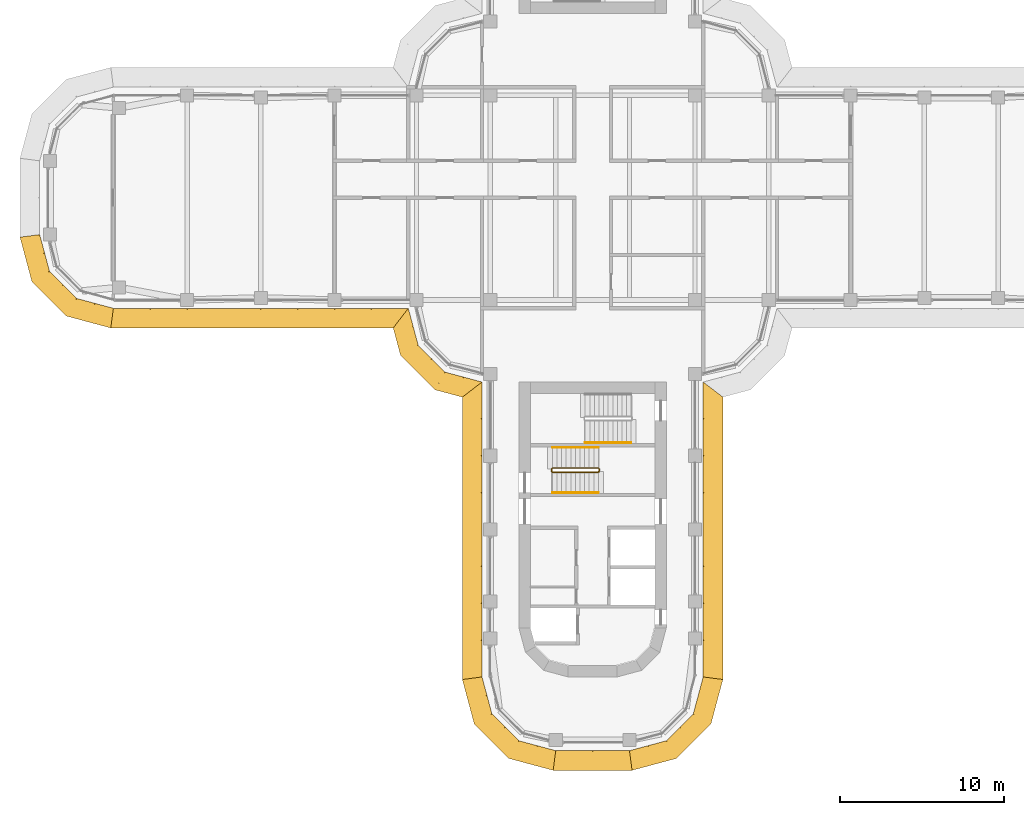
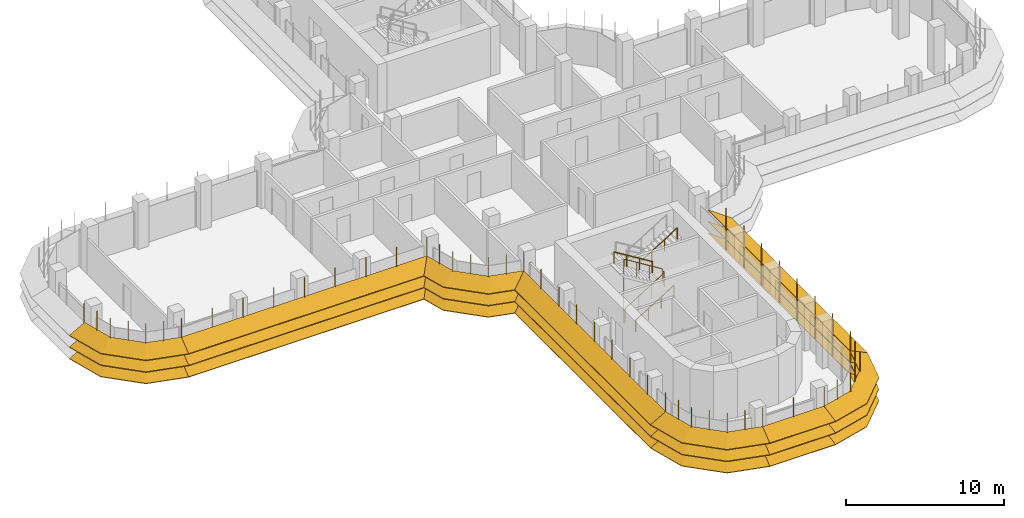
# One storey, part 17 of 20: 8 shading devices, 4 railings.
"""IFC4 building model written with IfcOpenShell, lengths in metres."""

from ifc_helpers import new_model, si_unit, direction, frame, origin, origin_2d, place, context, subcontext, project, spatial, polyline, circle, outline, extrude, faceted_brep, source, transform, mapped, material, type_object, element, save


model = new_model("IFC4")

# Units and contexts
model_context = context("Model", 3, precision=1e-05, world=origin(), true_north=direction((0.0, 1.0)))
body_context = subcontext(model_context, "Body", "Model", "MODEL_VIEW")
ifc_project = project(units=[si_unit("LENGTHUNIT", "METRE"), si_unit("AREAUNIT", "SQUARE_METRE"), si_unit("VOLUMEUNIT", "CUBIC_METRE"), si_unit("PLANEANGLEUNIT", "RADIAN"), si_unit("MASSUNIT", "GRAM", prefix="KILO")], contexts=[model_context])

# Site, building, storey
site_placement = place(None, origin())
site = spatial("IfcSite", under=ifc_project, at=site_placement, CompositionType="ELEMENT")
building_placement = place(site_placement, origin())
building = spatial("IfcBuilding", under=site, at=building_placement, Name="Zarbagh Exchange Tower", CompositionType="ELEMENT")
storey_placement = place(building_placement, frame((0.0, 0.0, 152.39990234375)))
storey = spatial("IfcBuildingStorey", under=building, at=storey_placement, Name="L36", CompositionType="ELEMENT", Elevation=152.39990234375)

# Railings
ifc_material_1 = material(Name="Stainless steel", Category="steel")
railing_type_1 = type_object("IfcRailingType", Name="Stair guard 1100 mm", PredefinedType="GUARDRAIL", material=ifc_material_1)
railing_1_placement = place(storey_placement, frame((0.35009765625, -16.5, 2.07275390625)))
element("IfcRailing", 1, at=railing_1_placement, inside=storey, type_object=railing_type_1, Name="ST3 stair guard 1", PredefinedType="GUARDRAIL", context=body_context, shape_type="SweptSolid", body=[
    extrude(circle(Radius=0.02392578125, at=origin_2d()), frame((0.0, 0.0, 1.076171875), z_axis=(-0.851089632645, 0.0, 0.525020415988), x_axis=(0.0, -1.0, 0.0)), (0.0, 0.0, 1.0), 3.2900390625),
    extrude(circle(Radius=0.02392578125, at=origin_2d()), frame((-2.800048828125, 0.0, 2.80322265625), z_axis=(-0.013168290981, -0.013168290981, -0.999826581076), x_axis=(0.707106781187, -0.707106781187, 0.0)), (0.0, 0.0, 1.0), 3.80078125),
    extrude(circle(Radius=0.02392578125, at=origin_2d()), frame((-2.85009765625, -0.050048828125, -0.99658203125), z_axis=(0.0, -1.0, 0.0), x_axis=(1.0, 0.0, 0.0)), (0.0, 0.0, 1.0), 0.14990234375),
    extrude(circle(Radius=0.02392578125, at=origin_2d()), frame((-2.85009765625, -0.199951171875, -0.99658203125), z_axis=(0.267953482034, -0.267953482034, 0.925419830635), x_axis=(0.707106781187, 0.707106781187, 0.0)), (0.0, 0.0, 1.0), 0.186767578125),
    extrude(circle(Radius=0.02392578125, at=origin_2d()), frame((-2.800048828125, -0.25, -0.82373046875), z_axis=(0.851089632645, 0.0, 0.525020415988), x_axis=(0.0, 1.0, 0.0)), (0.0, 0.0, 1.0), 3.2900390625),
    extrude(circle(Radius=0.02392578125, at=origin_2d()), frame((0.0, -0.25, 0.9033203125), z_axis=(0.705375805398, 0.708833529934, 0.0), x_axis=(-0.708833529934, 0.705375805398, 0.0)), (0.0, 0.0, 1.0), 0.070556640625),
    extrude(circle(Radius=0.02392578125, at=origin_2d()), frame((0.0498046875, -0.199951171875, 0.9033203125), z_axis=(0.0, 1.0, 0.0), x_axis=(-1.0, 0.0, 0.0)), (0.0, 0.0, 1.0), 0.14990234375),
    extrude(circle(Radius=0.02099609375, at=origin_2d()), origin(), (0.0, 0.0, 1.0), 1.052001953125),
    extrude(circle(Radius=0.02099609375, at=origin_2d()), frame((-0.933349609375, 0.0, 0.57568359375)), (0.0, 0.0, 1.0), 1.052001953125),
    extrude(circle(Radius=0.02099609375, at=origin_2d()), frame((-1.86669921875, 0.0, 1.151611328125)), (0.0, 0.0, 1.0), 1.052001953125),
    extrude(circle(Radius=0.02099609375, at=origin_2d()), frame((-2.800048828125, 0.0, 1.727294921875)), (0.0, 0.0, 1.0), 1.052001953125),
    extrude(circle(Radius=0.02099609375, at=origin_2d()), frame((-2.8125, -0.012451171875, 0.77734375)), (0.0, 0.0, 1.0), 1.052001953125),
    extrude(circle(Radius=0.02099609375, at=origin_2d()), frame((-2.8251953125, -0.02490234375, -0.1728515625)), (0.0, 0.0, 1.0), 1.052001953125),
    extrude(circle(Radius=0.02099609375, at=origin_2d()), frame((-2.837646484375, -0.03759765625, -1.122802734375)), (0.0, 0.0, 1.0), 1.052001953125),
    extrude(circle(Radius=0.02099609375, at=origin_2d()), frame((-2.85009765625, -0.050048828125, -2.07275390625)), (0.0, 0.0, 1.0), 1.052001953125),
    extrude(circle(Radius=0.02099609375, at=origin_2d()), frame((-2.85009765625, -0.199951171875, -2.07275390625)), (0.0, 0.0, 1.0), 1.052001953125),
    extrude(circle(Radius=0.02099609375, at=origin_2d()), frame((-2.800048828125, -0.25, -1.89990234375)), (0.0, 0.0, 1.0), 1.052001953125),
    extrude(circle(Radius=0.02099609375, at=origin_2d()), frame((-1.86669921875, -0.25, -1.32421875)), (0.0, 0.0, 1.0), 1.052001953125),
    extrude(circle(Radius=0.02099609375, at=origin_2d()), frame((-0.933349609375, -0.25, -0.748291015625)), (0.0, 0.0, 1.0), 1.052001953125),
    extrude(circle(Radius=0.02099609375, at=origin_2d()), frame((0.0, -0.25, -0.172607421875)), (0.0, 0.0, 1.0), 1.052001953125),
    extrude(circle(Radius=0.02099609375, at=origin_2d()), frame((0.0498046875, -0.199951171875, -0.172607421875)), (0.0, 0.0, 1.0), 1.052001953125),
    extrude(circle(Radius=0.02099609375, at=origin_2d()), frame((0.0498046875, -0.050048828125, -0.172607421875)), (0.0, 0.0, 1.0), 1.052001953125),
])
railing_type_2 = type_object("IfcRailingType", Name="Stair handrail 900 mm", PredefinedType="HANDRAIL", material=ifc_material_1)
railing_2_placement = place(storey_placement, frame((-2.449951171875, -18.0, 0.1728515625)))
element("IfcRailing", 2, at=railing_2_placement, inside=storey, type_object=railing_type_2, Name="ST3 stair handrail 1", PredefinedType="HANDRAIL", context=body_context, shape_type="SweptSolid", body=[
    extrude(circle(Radius=0.02392578125, at=origin_2d()), frame((0.0, 0.0, 0.8759765625), z_axis=(0.851089632645, 0.0, 0.525020415988), x_axis=(0.0, 1.0, 0.0)), (0.0, 0.0, 1.0), 3.2900390625),
    extrude(circle(Radius=0.02099609375, at=origin_2d()), origin(), (0.0, 0.0, 1.0), 0.851806640625),
    extrude(circle(Radius=0.02099609375, at=origin_2d()), frame((0.933349609375, 0.0, 0.57568359375)), (0.0, 0.0, 1.0), 0.851806640625),
    extrude(circle(Radius=0.02099609375, at=origin_2d()), frame((1.86669921875, 0.0, 1.151611328125)), (0.0, 0.0, 1.0), 0.851806640625),
    extrude(circle(Radius=0.02099609375, at=origin_2d()), frame((2.800048828125, 0.0, 1.727294921875)), (0.0, 0.0, 1.0), 0.851806640625),
])
railing_3_placement = place(storey_placement, frame((0.35009765625, -15.25, 2.07275390625)))
element("IfcRailing", 3, at=railing_3_placement, inside=storey, type_object=railing_type_2, Name="ST3 stair handrail 2", PredefinedType="HANDRAIL", context=body_context, shape_type="SweptSolid", body=[
    extrude(circle(Radius=0.02392578125, at=origin_2d()), frame((0.0, 0.0, 0.8759765625), z_axis=(-0.851089632645, 0.0, 0.525020415988), x_axis=(0.0, -1.0, 0.0)), (0.0, 0.0, 1.0), 3.2900390625),
    extrude(circle(Radius=0.02099609375, at=origin_2d()), origin(), (0.0, 0.0, 1.0), 0.851806640625),
    extrude(circle(Radius=0.02099609375, at=origin_2d()), frame((-0.933349609375, 0.0, 0.57568359375)), (0.0, 0.0, 1.0), 0.851806640625),
    extrude(circle(Radius=0.02099609375, at=origin_2d()), frame((-1.86669921875, 0.0, 1.151611328125)), (0.0, 0.0, 1.0), 0.851806640625),
    extrude(circle(Radius=0.02099609375, at=origin_2d()), frame((-2.800048828125, 0.0, 1.727294921875)), (0.0, 0.0, 1.0), 0.851806640625),
])
railing_4_placement = place(storey_placement, frame((-0.449951171875, -14.949951171875, 2.07275390625)))
element("IfcRailing", 4, at=railing_4_placement, inside=storey, type_object=railing_type_2, Name="ST4 stair handrail 2", PredefinedType="HANDRAIL", context=body_context, shape_type="SweptSolid", body=[
    extrude(circle(Radius=0.02392578125, at=origin_2d()), frame((0.0, 0.0, 0.8759765625), z_axis=(0.851089632645, 0.0, 0.525020415988), x_axis=(0.0, 1.0, 0.0)), (0.0, 0.0, 1.0), 3.2900390625),
    extrude(circle(Radius=0.02099609375, at=origin_2d()), origin(), (0.0, 0.0, 1.0), 0.851806640625),
    extrude(circle(Radius=0.02099609375, at=origin_2d()), frame((0.933349609375, 0.0, 0.57568359375)), (0.0, 0.0, 1.0), 0.851806640625),
    extrude(circle(Radius=0.02099609375, at=origin_2d()), frame((1.86669921875, 0.0, 1.151611328125)), (0.0, 0.0, 1.0), 0.851806640625),
    extrude(circle(Radius=0.02099609375, at=origin_2d()), frame((2.800048828125, 0.0, 1.727294921875)), (0.0, 0.0, 1.0), 0.851806640625),
])

# Shading devices
ifc_material_2 = material(Name="Anodised aluminium blades and brackets", Category="aluminium")
shading_device_type = type_object("IfcShadingDeviceType", Name="SUNSHADE louvre band, 22.5 degree blades", PredefinedType="JALOUSIE", material=ifc_material_2)
shared_shape_1 = source(origin(), body_context, "Body", "Brep", [
    faceted_brep([(0.0, 0.0, 0.0), (0.0, 0.0, -0.043212890625), (-0.157958984375, -1.199951171875, -0.540283203125), (-0.157958984375, -1.199951171875, -0.4970703125), (2.65087890625, -1.199951171875, -0.4970703125), (2.65087890625, -1.199951171875, -0.540283203125), (2.329345703125, 0.0, -0.043212890625), (2.329345703125, 0.0, 0.0)], [[[0, 1, 2, 3]], [[4, 5, 6, 7]], [[0, 7, 6, 1]], [[1, 6, 5, 2]], [[2, 5, 4, 3]], [[3, 4, 7, 0]]]),
])
shared_shape_2 = source(origin(), body_context, "Body", "Brep", [
    faceted_brep([(0.0, 0.0, 0.0), (0.0, 0.0, -0.043212890625), (-0.321533203125, -1.199951171875, -0.540283203125), (-0.321533203125, -1.199951171875, -0.4970703125), (2.65087890625, -1.199951171875, -0.4970703125), (2.65087890625, -1.199951171875, -0.540283203125), (2.329345703125, 0.0, -0.043212890625), (2.329345703125, 0.0, 0.0)], [[[0, 1, 2, 3]], [[4, 5, 6, 7]], [[0, 7, 6, 1]], [[1, 6, 5, 2]], [[2, 5, 4, 3]], [[3, 4, 7, 0]]]),
])
shared_shape_3 = source(origin(), body_context, "Body", "Brep", [
    faceted_brep([(0.0, 0.0, 0.0), (0.0, 0.0, -0.043212890625), (-0.321533203125, -1.199951171875, -0.540283203125), (-0.321533203125, -1.199951171875, -0.4970703125), (2.4873046875, -1.199951171875, -0.4970703125), (2.4873046875, -1.199951171875, -0.540283203125), (2.329345703125, 0.0, -0.043212890625), (2.329345703125, 0.0, 0.0)], [[[0, 1, 2, 3]], [[4, 5, 6, 7]], [[0, 7, 6, 1]], [[1, 6, 5, 2]], [[2, 5, 4, 3]], [[3, 4, 7, 0]]]),
])
shared_shape_4 = source(origin(), body_context, "Body", "SweptSolid", [
    extrude(outline(polyline([(0.0, -0.012451171875), (0.06005859375, -0.012451171875), (0.06005859375, 0.012451171875), (0.0, 0.012451171875), (0.0, -0.012451171875)])), origin(), (0.0, 0.0, 1.0), 3.353271484375),
])
placement = place(storey_placement, origin())
element("IfcShadingDevice", 5, at=placement, inside=storey, type_object=shading_device_type, Name="SS01 sunshade band", PredefinedType="JALOUSIE", context=body_context, shape_type="MappedRepresentation", body=[
    mapped(shared_shape_1, transform((2.25, -33.75, 2.300048828125), x_axis=(0.965924289636, 0.258824779902, 0.0), y_axis=(-0.258824779902, 0.965924289636, 0.0), z_axis=(0.0, 0.0, 1.0))),
    mapped(shared_shape_1, transform((2.25, -33.75, 1.400146484375), x_axis=(0.965924289636, 0.258824779902, 0.0), y_axis=(-0.258824779902, 0.965924289636, 0.0), z_axis=(0.0, 0.0, 1.0))),
    mapped(shared_shape_1, transform((2.25, -33.75, 0.5), x_axis=(0.965924289636, 0.258824779902, 0.0), y_axis=(-0.258824779902, 0.965924289636, 0.0), z_axis=(0.0, 0.0, 1.0))),
    mapped(shared_shape_2, transform((4.5, -33.147216796875, 2.300048828125), x_axis=(0.707106781187, 0.707106781187, 0.0), y_axis=(-0.707106781187, 0.707106781187, 0.0), z_axis=(0.0, 0.0, 1.0))),
    mapped(shared_shape_2, transform((4.5, -33.147216796875, 1.400146484375), x_axis=(0.707106781187, 0.707106781187, 0.0), y_axis=(-0.707106781187, 0.707106781187, 0.0), z_axis=(0.0, 0.0, 1.0))),
    mapped(shared_shape_2, transform((4.5, -33.147216796875, 0.5), x_axis=(0.707106781187, 0.707106781187, 0.0), y_axis=(-0.707106781187, 0.707106781187, 0.0), z_axis=(0.0, 0.0, 1.0))),
    mapped(shared_shape_3, transform((6.147216796875, -31.5, 2.300048828125), x_axis=(0.258824779902, 0.965924289636, 0.0), y_axis=(-0.965924289636, 0.258824779902, 0.0), z_axis=(0.0, 0.0, 1.0))),
    mapped(shared_shape_3, transform((6.147216796875, -31.5, 1.400146484375), x_axis=(0.258824779902, 0.965924289636, 0.0), y_axis=(-0.965924289636, 0.258824779902, 0.0), z_axis=(0.0, 0.0, 1.0))),
    mapped(shared_shape_3, transform((6.147216796875, -31.5, 0.5), x_axis=(0.258824779902, 0.965924289636, 0.0), y_axis=(-0.965924289636, 0.258824779902, 0.0), z_axis=(0.0, 0.0, 1.0))),
    mapped(shared_shape_4, transform((2.25, -33.75, 0.4267578125), x_axis=(0.130529263012, -0.991444457092, 0.0), y_axis=(0.991444457092, 0.130529263012, 0.0), z_axis=(0.0, 0.0, 1.0))),
    mapped(shared_shape_4, transform((3.375, -33.448486328125, 0.4267578125), x_axis=(0.258825058029, -0.96592421511, 0.0), y_axis=(0.96592421511, 0.258825058029, 0.0), z_axis=(0.0, 0.0, 1.0))),
    mapped(shared_shape_4, transform((4.5, -33.147216796875, 0.4267578125), x_axis=(0.50000275701, -0.866023812018, 0.0), y_axis=(0.866023812018, 0.50000275701, 0.0), z_axis=(0.0, 0.0, 1.0))),
    mapped(shared_shape_4, transform((5.323486328125, -32.323486328125, 0.4267578125), x_axis=(0.707106781187, -0.707106781187, 0.0), y_axis=(0.707106781187, 0.707106781187, 0.0), z_axis=(0.0, 0.0, 1.0))),
    mapped(shared_shape_4, transform((6.147216796875, -31.5, 0.4267578125), x_axis=(0.866023812018, -0.50000275701, 0.0), y_axis=(0.50000275701, 0.866023812018, 0.0), z_axis=(0.0, 0.0, 1.0))),
    mapped(shared_shape_4, transform((6.448486328125, -30.375, 0.4267578125), x_axis=(0.96592421511, -0.258825058029, 0.0), y_axis=(0.258825058029, 0.96592421511, 0.0), z_axis=(0.0, 0.0, 1.0))),
])
element("IfcShadingDevice", 6, at=placement, inside=storey, type_object=shading_device_type, Name="SS19 sunshade band", PredefinedType="JALOUSIE", context=body_context, shape_type="MappedRepresentation", body=[
    mapped(shared_shape_1, transform((-33.75, -2.25, 2.300048828125), x_axis=(0.258824779902, -0.965924289636, 0.0), y_axis=(0.965924289636, 0.258824779902, 0.0), z_axis=(0.0, 0.0, 1.0))),
    mapped(shared_shape_1, transform((-33.75, -2.25, 1.400146484375), x_axis=(0.258824779902, -0.965924289636, 0.0), y_axis=(0.965924289636, 0.258824779902, 0.0), z_axis=(0.0, 0.0, 1.0))),
    mapped(shared_shape_1, transform((-33.75, -2.25, 0.5), x_axis=(0.258824779902, -0.965924289636, 0.0), y_axis=(0.965924289636, 0.258824779902, 0.0), z_axis=(0.0, 0.0, 1.0))),
    mapped(shared_shape_2, transform((-33.147216796875, -4.5, 2.300048828125), x_axis=(0.707106781187, -0.707106781187, 0.0), y_axis=(0.707106781187, 0.707106781187, 0.0), z_axis=(0.0, 0.0, 1.0))),
    mapped(shared_shape_2, transform((-33.147216796875, -4.5, 1.400146484375), x_axis=(0.707106781187, -0.707106781187, 0.0), y_axis=(0.707106781187, 0.707106781187, 0.0), z_axis=(0.0, 0.0, 1.0))),
    mapped(shared_shape_2, transform((-33.147216796875, -4.5, 0.5), x_axis=(0.707106781187, -0.707106781187, 0.0), y_axis=(0.707106781187, 0.707106781187, 0.0), z_axis=(0.0, 0.0, 1.0))),
    mapped(shared_shape_3, transform((-31.5, -6.147216796875, 2.300048828125), x_axis=(0.965924289636, -0.258824779902, 0.0), y_axis=(0.258824779902, 0.965924289636, 0.0), z_axis=(0.0, 0.0, 1.0))),
    mapped(shared_shape_3, transform((-31.5, -6.147216796875, 1.400146484375), x_axis=(0.965924289636, -0.258824779902, 0.0), y_axis=(0.258824779902, 0.965924289636, 0.0), z_axis=(0.0, 0.0, 1.0))),
    mapped(shared_shape_3, transform((-31.5, -6.147216796875, 0.5), x_axis=(0.965924289636, -0.258824779902, 0.0), y_axis=(0.258824779902, 0.965924289636, 0.0), z_axis=(0.0, 0.0, 1.0))),
    mapped(shared_shape_4, transform((-33.75, -2.25, 0.4267578125), x_axis=(-0.991444457092, -0.130529263012, 0.0), y_axis=(0.130529263012, -0.991444457092, 0.0), z_axis=(0.0, 0.0, 1.0))),
    mapped(shared_shape_4, transform((-33.448486328125, -3.375, 0.4267578125), x_axis=(-0.96592421511, -0.258825058029, 0.0), y_axis=(0.258825058029, -0.96592421511, 0.0), z_axis=(0.0, 0.0, 1.0))),
    mapped(shared_shape_4, transform((-33.147216796875, -4.5, 0.4267578125), x_axis=(-0.866023812018, -0.50000275701, 0.0), y_axis=(0.50000275701, -0.866023812018, 0.0), z_axis=(0.0, 0.0, 1.0))),
    mapped(shared_shape_4, transform((-32.323486328125, -5.323486328125, 0.4267578125), x_axis=(-0.707106781187, -0.707106781187, 0.0), y_axis=(0.707106781187, -0.707106781187, 0.0), z_axis=(0.0, 0.0, 1.0))),
    mapped(shared_shape_4, transform((-31.5, -6.147216796875, 0.4267578125), x_axis=(-0.50000275701, -0.866023812018, 0.0), y_axis=(0.866023812018, -0.50000275701, 0.0), z_axis=(0.0, 0.0, 1.0))),
    mapped(shared_shape_4, transform((-30.375, -6.448486328125, 0.4267578125), x_axis=(-0.258825058029, -0.96592421511, 0.0), y_axis=(0.96592421511, -0.258825058029, 0.0), z_axis=(0.0, 0.0, 1.0))),
])
element("IfcShadingDevice", 7, at=placement, inside=storey, type_object=shading_device_type, Name="SS23 sunshade band", PredefinedType="JALOUSIE", context=body_context, shape_type="MappedRepresentation", body=[
    mapped(shared_shape_1, transform((-6.75, -29.25, 2.300048828125), x_axis=(0.258824779902, -0.965924289636, 0.0), y_axis=(0.965924289636, 0.258824779902, 0.0), z_axis=(0.0, 0.0, 1.0))),
    mapped(shared_shape_1, transform((-6.75, -29.25, 1.400146484375), x_axis=(0.258824779902, -0.965924289636, 0.0), y_axis=(0.965924289636, 0.258824779902, 0.0), z_axis=(0.0, 0.0, 1.0))),
    mapped(shared_shape_1, transform((-6.75, -29.25, 0.5), x_axis=(0.258824779902, -0.965924289636, 0.0), y_axis=(0.965924289636, 0.258824779902, 0.0), z_axis=(0.0, 0.0, 1.0))),
    mapped(shared_shape_2, transform((-6.147216796875, -31.5, 2.300048828125), x_axis=(0.707106781187, -0.707106781187, 0.0), y_axis=(0.707106781187, 0.707106781187, 0.0), z_axis=(0.0, 0.0, 1.0))),
    mapped(shared_shape_2, transform((-6.147216796875, -31.5, 1.400146484375), x_axis=(0.707106781187, -0.707106781187, 0.0), y_axis=(0.707106781187, 0.707106781187, 0.0), z_axis=(0.0, 0.0, 1.0))),
    mapped(shared_shape_2, transform((-6.147216796875, -31.5, 0.5), x_axis=(0.707106781187, -0.707106781187, 0.0), y_axis=(0.707106781187, 0.707106781187, 0.0), z_axis=(0.0, 0.0, 1.0))),
    mapped(shared_shape_3, transform((-4.5, -33.147216796875, 2.300048828125), x_axis=(0.965924289636, -0.258824779902, 0.0), y_axis=(0.258824779902, 0.965924289636, 0.0), z_axis=(0.0, 0.0, 1.0))),
    mapped(shared_shape_3, transform((-4.5, -33.147216796875, 1.400146484375), x_axis=(0.965924289636, -0.258824779902, 0.0), y_axis=(0.258824779902, 0.965924289636, 0.0), z_axis=(0.0, 0.0, 1.0))),
    mapped(shared_shape_3, transform((-4.5, -33.147216796875, 0.5), x_axis=(0.965924289636, -0.258824779902, 0.0), y_axis=(0.258824779902, 0.965924289636, 0.0), z_axis=(0.0, 0.0, 1.0))),
    mapped(shared_shape_4, transform((-6.75, -29.25, 0.4267578125), x_axis=(-0.991444457092, -0.130529263012, 0.0), y_axis=(0.130529263012, -0.991444457092, 0.0), z_axis=(0.0, 0.0, 1.0))),
    mapped(shared_shape_4, transform((-6.448486328125, -30.375, 0.4267578125), x_axis=(-0.96592421511, -0.258825058029, 0.0), y_axis=(0.258825058029, -0.96592421511, 0.0), z_axis=(0.0, 0.0, 1.0))),
    mapped(shared_shape_4, transform((-6.147216796875, -31.5, 0.4267578125), x_axis=(-0.866023812018, -0.50000275701, 0.0), y_axis=(0.50000275701, -0.866023812018, 0.0), z_axis=(0.0, 0.0, 1.0))),
    mapped(shared_shape_4, transform((-5.323486328125, -32.323486328125, 0.4267578125), x_axis=(-0.707106781187, -0.707106781187, 0.0), y_axis=(0.707106781187, -0.707106781187, 0.0), z_axis=(0.0, 0.0, 1.0))),
    mapped(shared_shape_4, transform((-4.5, -33.147216796875, 0.4267578125), x_axis=(-0.50000275701, -0.866023812018, 0.0), y_axis=(0.866023812018, -0.50000275701, 0.0), z_axis=(0.0, 0.0, 1.0))),
    mapped(shared_shape_4, transform((-3.375, -33.448486328125, 0.4267578125), x_axis=(-0.258825058029, -0.96592421511, 0.0), y_axis=(0.96592421511, -0.258825058029, 0.0), z_axis=(0.0, 0.0, 1.0))),
])
shared_shape_5 = source(origin(), body_context, "Body", "Brep", [
    faceted_brep([(0.0, 0.0, 0.0), (0.0, 0.0, -0.043212890625), (0.9208984375, -1.199951171875, -0.540283203125), (0.9208984375, -1.199951171875, -0.4970703125), (2.65087890625, -1.199951171875, -0.4970703125), (2.65087890625, -1.199951171875, -0.540283203125), (2.329345703125, 0.0, -0.043212890625), (2.329345703125, 0.0, 0.0)], [[[0, 1, 2, 3]], [[4, 5, 6, 7]], [[0, 7, 6, 1]], [[1, 6, 5, 2]], [[2, 5, 4, 3]], [[3, 4, 7, 0]]]),
])
shared_shape_6 = source(origin(), body_context, "Body", "Brep", [
    faceted_brep([(0.0, 0.0, 0.0), (0.0, 0.0, -0.043212890625), (-0.321533203125, -1.199951171875, -0.540283203125), (-0.321533203125, -1.199951171875, -0.4970703125), (1.40869140625, -1.199951171875, -0.4970703125), (1.40869140625, -1.199951171875, -0.540283203125), (2.329345703125, 0.0, -0.043212890625), (2.329345703125, 0.0, 0.0)], [[[0, 1, 2, 3]], [[4, 5, 6, 7]], [[0, 7, 6, 1]], [[1, 6, 5, 2]], [[2, 5, 4, 3]], [[3, 4, 7, 0]]]),
])
element("IfcShadingDevice", 8, at=placement, inside=storey, type_object=shading_device_type, Name="SS21 sunshade band", PredefinedType="JALOUSIE", context=body_context, shape_type="MappedRepresentation", body=[
    mapped(shared_shape_5, transform((-11.25, -6.75, 2.300048828125), x_axis=(0.258824779902, -0.965924289636, 0.0), y_axis=(0.965924289636, 0.258824779902, 0.0), z_axis=(0.0, 0.0, 1.0))),
    mapped(shared_shape_5, transform((-11.25, -6.75, 1.400146484375), x_axis=(0.258824779902, -0.965924289636, 0.0), y_axis=(0.965924289636, 0.258824779902, 0.0), z_axis=(0.0, 0.0, 1.0))),
    mapped(shared_shape_5, transform((-11.25, -6.75, 0.5), x_axis=(0.258824779902, -0.965924289636, 0.0), y_axis=(0.965924289636, 0.258824779902, 0.0), z_axis=(0.0, 0.0, 1.0))),
    mapped(shared_shape_2, transform((-10.647216796875, -9.0, 2.300048828125), x_axis=(0.707106781187, -0.707106781187, 0.0), y_axis=(0.707106781187, 0.707106781187, 0.0), z_axis=(0.0, 0.0, 1.0))),
    mapped(shared_shape_2, transform((-10.647216796875, -9.0, 1.400146484375), x_axis=(0.707106781187, -0.707106781187, 0.0), y_axis=(0.707106781187, 0.707106781187, 0.0), z_axis=(0.0, 0.0, 1.0))),
    mapped(shared_shape_2, transform((-10.647216796875, -9.0, 0.5), x_axis=(0.707106781187, -0.707106781187, 0.0), y_axis=(0.707106781187, 0.707106781187, 0.0), z_axis=(0.0, 0.0, 1.0))),
    mapped(shared_shape_6, transform((-9.0, -10.647216796875, 2.300048828125), x_axis=(0.965924289636, -0.258824779902, 0.0), y_axis=(0.258824779902, 0.965924289636, 0.0), z_axis=(0.0, 0.0, 1.0))),
    mapped(shared_shape_6, transform((-9.0, -10.647216796875, 1.400146484375), x_axis=(0.965924289636, -0.258824779902, 0.0), y_axis=(0.258824779902, 0.965924289636, 0.0), z_axis=(0.0, 0.0, 1.0))),
    mapped(shared_shape_6, transform((-9.0, -10.647216796875, 0.5), x_axis=(0.965924289636, -0.258824779902, 0.0), y_axis=(0.258824779902, 0.965924289636, 0.0), z_axis=(0.0, 0.0, 1.0))),
    mapped(shared_shape_4, transform((-11.25, -6.75, 0.4267578125), x_axis=(-0.608758892, -0.793355287, 0.0), y_axis=(0.793355287, -0.608758892, 0.0), z_axis=(0.0, 0.0, 1.0))),
    mapped(shared_shape_4, transform((-10.948486328125, -7.875, 0.4267578125), x_axis=(-0.96592421511, -0.258825058029, 0.0), y_axis=(0.258825058029, -0.96592421511, 0.0), z_axis=(0.0, 0.0, 1.0))),
    mapped(shared_shape_4, transform((-10.647216796875, -9.0, 0.4267578125), x_axis=(-0.866023812018, -0.50000275701, 0.0), y_axis=(0.50000275701, -0.866023812018, 0.0), z_axis=(0.0, 0.0, 1.0))),
    mapped(shared_shape_4, transform((-9.823486328125, -9.823486328125, 0.4267578125), x_axis=(-0.707106781187, -0.707106781187, 0.0), y_axis=(0.707106781187, -0.707106781187, 0.0), z_axis=(0.0, 0.0, 1.0))),
    mapped(shared_shape_4, transform((-9.0, -10.647216796875, 0.4267578125), x_axis=(-0.50000275701, -0.866023812018, 0.0), y_axis=(0.866023812018, -0.50000275701, 0.0), z_axis=(0.0, 0.0, 1.0))),
    mapped(shared_shape_4, transform((-7.875, -10.948486328125, 0.4267578125), x_axis=(-0.258825058029, -0.96592421511, 0.0), y_axis=(0.96592421511, -0.258825058029, 0.0), z_axis=(0.0, 0.0, 1.0))),
])
shared_shape_7 = source(origin(), body_context, "Body", "Brep", [
    faceted_brep([(0.0, 0.0, 0.0), (0.0, 0.0, -0.043212890625), (-0.157958984375, -1.199951171875, -0.540283203125), (-0.157958984375, -1.199951171875, -0.4970703125), (17.0791015625, -1.199951171875, -0.4970703125), (17.0791015625, -1.199951171875, -0.540283203125), (18.0, 0.0, -0.043212890625), (18.0, 0.0, 0.0)], [[[0, 1, 2, 3]], [[4, 5, 6, 7]], [[0, 7, 6, 1]], [[1, 6, 5, 2]], [[2, 5, 4, 3]], [[3, 4, 7, 0]]]),
])
element("IfcShadingDevice", 9, at=placement, inside=storey, type_object=shading_device_type, Name="SS02 sunshade band", PredefinedType="JALOUSIE", context=body_context, shape_type="MappedRepresentation", body=[
    mapped(shared_shape_7, transform((6.75, -29.25, 2.300048828125), x_axis=(0.0, 1.0, 0.0), y_axis=(-1.0, 0.0, 0.0), z_axis=(0.0, 0.0, 1.0))),
    mapped(shared_shape_7, transform((6.75, -29.25, 1.400146484375), x_axis=(0.0, 1.0, 0.0), y_axis=(-1.0, 0.0, 0.0), z_axis=(0.0, 0.0, 1.0))),
    mapped(shared_shape_7, transform((6.75, -29.25, 0.5), x_axis=(0.0, 1.0, 0.0), y_axis=(-1.0, 0.0, 0.0), z_axis=(0.0, 0.0, 1.0))),
    mapped(shared_shape_4, transform((6.75, -29.25, 0.4267578125), x_axis=(0.991444457092, -0.130529263012, 0.0), y_axis=(0.130529263012, 0.991444457092, 0.0), z_axis=(0.0, 0.0, 1.0))),
    mapped(shared_shape_4, transform((6.75, -27.0, 0.4267578125), x_axis=(1.0, 0.0, 0.0), y_axis=(0.0, 1.0, 0.0), z_axis=(0.0, 0.0, 1.0))),
    mapped(shared_shape_4, transform((6.75, -24.75, 0.4267578125), x_axis=(1.0, 0.0, 0.0), y_axis=(0.0, 1.0, 0.0), z_axis=(0.0, 0.0, 1.0))),
    mapped(shared_shape_4, transform((6.75, -22.5, 0.4267578125), x_axis=(1.0, 0.0, 0.0), y_axis=(0.0, 1.0, 0.0), z_axis=(0.0, 0.0, 1.0))),
    mapped(shared_shape_4, transform((6.75, -20.25, 0.4267578125), x_axis=(1.0, 0.0, 0.0), y_axis=(0.0, 1.0, 0.0), z_axis=(0.0, 0.0, 1.0))),
    mapped(shared_shape_4, transform((6.75, -18.0, 0.4267578125), x_axis=(1.0, 0.0, 0.0), y_axis=(0.0, 1.0, 0.0), z_axis=(0.0, 0.0, 1.0))),
    mapped(shared_shape_4, transform((6.75, -15.75, 0.4267578125), x_axis=(1.0, 0.0, 0.0), y_axis=(0.0, 1.0, 0.0), z_axis=(0.0, 0.0, 1.0))),
    mapped(shared_shape_4, transform((6.75, -13.5, 0.4267578125), x_axis=(1.0, 0.0, 0.0), y_axis=(0.0, 1.0, 0.0), z_axis=(0.0, 0.0, 1.0))),
])
element("IfcShadingDevice", 10, at=placement, inside=storey, type_object=shading_device_type, Name="SS20 sunshade band", PredefinedType="JALOUSIE", context=body_context, shape_type="MappedRepresentation", body=[
    mapped(shared_shape_7, transform((-29.25, -6.75, 2.300048828125), x_axis=(1.0, 0.0, 0.0), y_axis=(0.0, 1.0, 0.0), z_axis=(0.0, 0.0, 1.0))),
    mapped(shared_shape_7, transform((-29.25, -6.75, 1.400146484375), x_axis=(1.0, 0.0, 0.0), y_axis=(0.0, 1.0, 0.0), z_axis=(0.0, 0.0, 1.0))),
    mapped(shared_shape_7, transform((-29.25, -6.75, 0.5), x_axis=(1.0, 0.0, 0.0), y_axis=(0.0, 1.0, 0.0), z_axis=(0.0, 0.0, 1.0))),
    mapped(shared_shape_4, transform((-29.25, -6.75, 0.4267578125), x_axis=(-0.130529263012, -0.991444457092, 0.0), y_axis=(0.991444457092, -0.130529263012, 0.0), z_axis=(0.0, 0.0, 1.0))),
    mapped(shared_shape_4, transform((-27.0, -6.75, 0.4267578125), x_axis=(0.0, -1.0, 0.0), y_axis=(1.0, 0.0, 0.0), z_axis=(0.0, 0.0, 1.0))),
    mapped(shared_shape_4, transform((-24.75, -6.75, 0.4267578125), x_axis=(0.0, -1.0, 0.0), y_axis=(1.0, 0.0, 0.0), z_axis=(0.0, 0.0, 1.0))),
    mapped(shared_shape_4, transform((-22.5, -6.75, 0.4267578125), x_axis=(0.0, -1.0, 0.0), y_axis=(1.0, 0.0, 0.0), z_axis=(0.0, 0.0, 1.0))),
    mapped(shared_shape_4, transform((-20.25, -6.75, 0.4267578125), x_axis=(0.0, -1.0, 0.0), y_axis=(1.0, 0.0, 0.0), z_axis=(0.0, 0.0, 1.0))),
    mapped(shared_shape_4, transform((-18.0, -6.75, 0.4267578125), x_axis=(0.0, -1.0, 0.0), y_axis=(1.0, 0.0, 0.0), z_axis=(0.0, 0.0, 1.0))),
    mapped(shared_shape_4, transform((-15.75, -6.75, 0.4267578125), x_axis=(0.0, -1.0, 0.0), y_axis=(1.0, 0.0, 0.0), z_axis=(0.0, 0.0, 1.0))),
    mapped(shared_shape_4, transform((-13.5, -6.75, 0.4267578125), x_axis=(0.0, -1.0, 0.0), y_axis=(1.0, 0.0, 0.0), z_axis=(0.0, 0.0, 1.0))),
])
shared_shape_8 = source(origin(), body_context, "Body", "Brep", [
    faceted_brep([(0.0, 0.0, 0.0), (0.0, 0.0, -0.043212890625), (0.9208984375, -1.199951171875, -0.540283203125), (0.9208984375, -1.199951171875, -0.4970703125), (18.157958984375, -1.199951171875, -0.4970703125), (18.157958984375, -1.199951171875, -0.540283203125), (18.0, 0.0, -0.043212890625), (18.0, 0.0, 0.0)], [[[0, 1, 2, 3]], [[4, 5, 6, 7]], [[0, 7, 6, 1]], [[1, 6, 5, 2]], [[2, 5, 4, 3]], [[3, 4, 7, 0]]]),
])
element("IfcShadingDevice", 11, at=placement, inside=storey, type_object=shading_device_type, Name="SS22 sunshade band", PredefinedType="JALOUSIE", context=body_context, shape_type="MappedRepresentation", body=[
    mapped(shared_shape_8, transform((-6.75, -11.25, 2.300048828125), x_axis=(0.0, -1.0, 0.0), y_axis=(1.0, 0.0, 0.0), z_axis=(0.0, 0.0, 1.0))),
    mapped(shared_shape_8, transform((-6.75, -11.25, 1.400146484375), x_axis=(0.0, -1.0, 0.0), y_axis=(1.0, 0.0, 0.0), z_axis=(0.0, 0.0, 1.0))),
    mapped(shared_shape_8, transform((-6.75, -11.25, 0.5), x_axis=(0.0, -1.0, 0.0), y_axis=(1.0, 0.0, 0.0), z_axis=(0.0, 0.0, 1.0))),
    mapped(shared_shape_4, transform((-6.75, -11.25, 0.4267578125), x_axis=(-0.793355287, -0.608758892, 0.0), y_axis=(0.608758892, -0.793355287, 0.0), z_axis=(0.0, 0.0, 1.0))),
    mapped(shared_shape_4, transform((-6.75, -13.5, 0.4267578125), x_axis=(-1.0, 0.0, 0.0), y_axis=(0.0, -1.0, 0.0), z_axis=(0.0, 0.0, 1.0))),
    mapped(shared_shape_4, transform((-6.75, -15.75, 0.4267578125), x_axis=(-1.0, 0.0, 0.0), y_axis=(0.0, -1.0, 0.0), z_axis=(0.0, 0.0, 1.0))),
    mapped(shared_shape_4, transform((-6.75, -18.0, 0.4267578125), x_axis=(-1.0, 0.0, 0.0), y_axis=(0.0, -1.0, 0.0), z_axis=(0.0, 0.0, 1.0))),
    mapped(shared_shape_4, transform((-6.75, -20.25, 0.4267578125), x_axis=(-1.0, 0.0, 0.0), y_axis=(0.0, -1.0, 0.0), z_axis=(0.0, 0.0, 1.0))),
    mapped(shared_shape_4, transform((-6.75, -22.5, 0.4267578125), x_axis=(-1.0, 0.0, 0.0), y_axis=(0.0, -1.0, 0.0), z_axis=(0.0, 0.0, 1.0))),
    mapped(shared_shape_4, transform((-6.75, -24.75, 0.4267578125), x_axis=(-1.0, 0.0, 0.0), y_axis=(0.0, -1.0, 0.0), z_axis=(0.0, 0.0, 1.0))),
    mapped(shared_shape_4, transform((-6.75, -27.0, 0.4267578125), x_axis=(-1.0, 0.0, 0.0), y_axis=(0.0, -1.0, 0.0), z_axis=(0.0, 0.0, 1.0))),
])
shared_shape_9 = source(origin(), body_context, "Body", "Brep", [
    faceted_brep([(0.0, 0.0, 0.0), (0.0, 0.0, -0.043212890625), (-0.157958984375, -1.199951171875, -0.540283203125), (-0.157958984375, -1.199951171875, -0.4970703125), (4.657958984375, -1.199951171875, -0.4970703125), (4.657958984375, -1.199951171875, -0.540283203125), (4.5, 0.0, -0.043212890625), (4.5, 0.0, 0.0)], [[[0, 1, 2, 3]], [[4, 5, 6, 7]], [[0, 7, 6, 1]], [[1, 6, 5, 2]], [[2, 5, 4, 3]], [[3, 4, 7, 0]]]),
])
element("IfcShadingDevice", 12, at=placement, inside=storey, type_object=shading_device_type, Name="SS24 sunshade band", PredefinedType="JALOUSIE", context=body_context, shape_type="MappedRepresentation", body=[
    mapped(shared_shape_9, transform((-2.25, -33.75, 2.300048828125), x_axis=(1.0, 0.0, 0.0), y_axis=(0.0, 1.0, 0.0), z_axis=(0.0, 0.0, 1.0))),
    mapped(shared_shape_9, transform((-2.25, -33.75, 1.400146484375), x_axis=(1.0, 0.0, 0.0), y_axis=(0.0, 1.0, 0.0), z_axis=(0.0, 0.0, 1.0))),
    mapped(shared_shape_9, transform((-2.25, -33.75, 0.5), x_axis=(1.0, 0.0, 0.0), y_axis=(0.0, 1.0, 0.0), z_axis=(0.0, 0.0, 1.0))),
    mapped(shared_shape_4, transform((-2.25, -33.75, 0.4267578125), x_axis=(-0.130529263012, -0.991444457092, 0.0), y_axis=(0.991444457092, -0.130529263012, 0.0), z_axis=(0.0, 0.0, 1.0))),
    mapped(shared_shape_4, transform((0.0, -33.75, 0.4267578125), x_axis=(0.0, -1.0, 0.0), y_axis=(1.0, 0.0, 0.0), z_axis=(0.0, 0.0, 1.0))),
])

save(model, "model.ifc")
